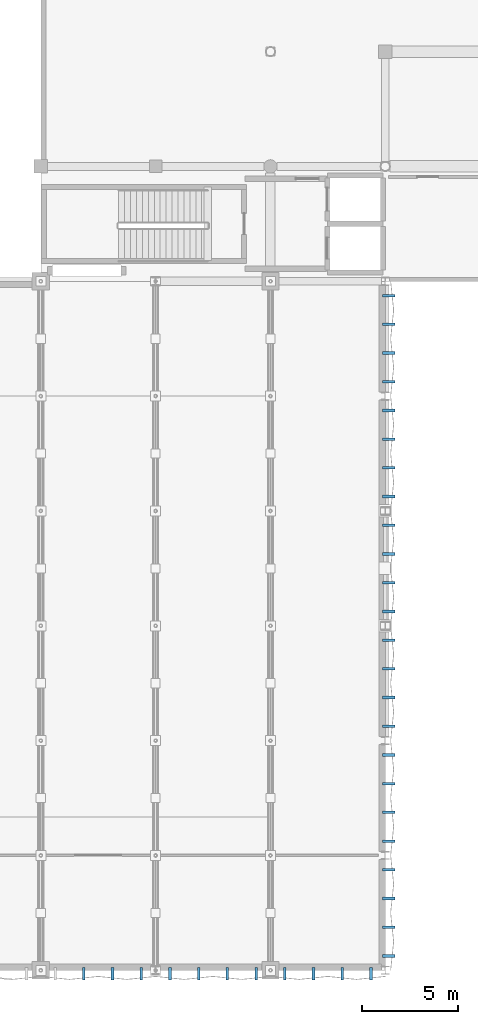
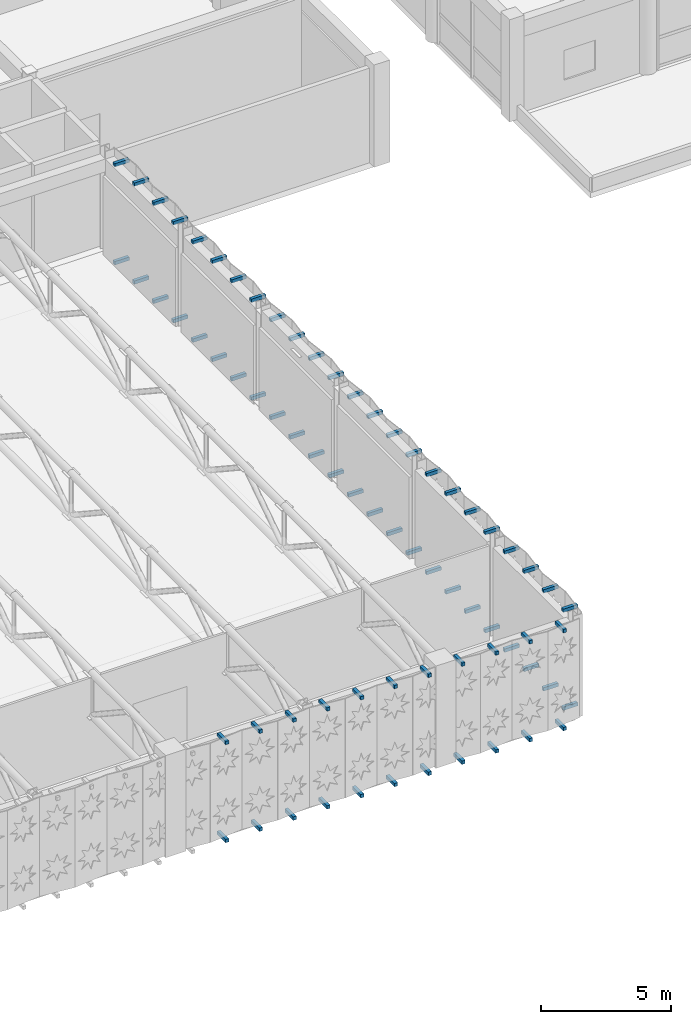
# One storey, part 113 of 123: 70 discrete accessories.
"""IFC4 building model written with IfcOpenShell, lengths in metres."""

from ifc_helpers import new_model, si_unit, direction, frame, origin, origin_2d, place, context, subcontext, project, spatial, rectangle, extrude, material, type_object, element, save


model = new_model("IFC4")

# Units and contexts
model_context = context("Model", 3, precision=1e-05, world=origin(), true_north=direction((0.0, 1.0)))
body_context = subcontext(model_context, "Body", "Model", "MODEL_VIEW")
ifc_project = project(units=[si_unit("LENGTHUNIT", "METRE"), si_unit("AREAUNIT", "SQUARE_METRE"), si_unit("VOLUMEUNIT", "CUBIC_METRE"), si_unit("PLANEANGLEUNIT", "RADIAN"), si_unit("MASSUNIT", "GRAM", prefix="KILO"), si_unit("THERMODYNAMICTEMPERATUREUNIT", "KELVIN"), si_unit("POWERUNIT", "WATT")], contexts=[model_context])

# Site, building, storey
site_placement = place(None, origin())
site = spatial("IfcSite", under=ifc_project, at=site_placement, CompositionType="ELEMENT")
building_placement = place(site_placement, origin())
building = spatial("IfcBuilding", under=site, at=building_placement, Name="Phaisarnlok Congress Hotel", CompositionType="ELEMENT")
storey_placement = place(building_placement, frame((0.0, 0.0, 15.0)))
storey = spatial("IfcBuildingStorey", under=building, at=storey_placement, Name="L03", CompositionType="ELEMENT", Elevation=15.0)

# Discrete accessories
ifc_material = material(Name="Steel S355", Category="steel")
discrete_accessory_type = type_object("IfcDiscreteAccessoryType", Name="ACC-BRK-STL", PredefinedType="BRACKET", material=ifc_material)
for number, where, z_axis, x_axis, name in (
    (1, (128.25, -0.183837890625, -0.18017578125), (0.0, 0.0, 1.0), (1.0, 0.0, 0.0), "Solar screen steel outrigger bracket BK-01"),
    (2, (128.25, -0.183837890625, 4.419921875), (0.0, 0.0, 1.0), (1.0, 0.0, 0.0), "Solar screen steel outrigger bracket BK-01"),
    (3, (129.75, -0.183837890625, -0.18017578125), (0.0, 0.0, 1.0), (1.0, 0.0, 0.0), "Solar screen steel outrigger bracket BK-01"),
    (4, (129.75, -0.183837890625, 4.419921875), (0.0, 0.0, 1.0), (1.0, 0.0, 0.0), "Solar screen steel outrigger bracket BK-01"),
    (5, (131.25, -0.183837890625, -0.18017578125), (0.0, 0.0, 1.0), (1.0, 0.0, 0.0), "Solar screen steel outrigger bracket BK-01"),
    (6, (131.25, -0.183837890625, 4.419921875), (0.0, 0.0, 1.0), (1.0, 0.0, 0.0), "Solar screen steel outrigger bracket BK-01"),
    (7, (132.75, -0.183837890625, -0.18017578125), (0.0, 0.0, 1.0), (1.0, 0.0, 0.0), "Solar screen steel outrigger bracket BK-01"),
    (8, (132.75, -0.183837890625, 4.419921875), (0.0, 0.0, 1.0), (1.0, 0.0, 0.0), "Solar screen steel outrigger bracket BK-01"),
    (9, (134.25, -0.183837890625, -0.18017578125), (0.0, 0.0, 1.0), (1.0, 0.0, 0.0), "Solar screen steel outrigger bracket BK-01"),
    (10, (134.25, -0.183837890625, 4.419921875), (0.0, 0.0, 1.0), (1.0, 0.0, 0.0), "Solar screen steel outrigger bracket BK-01"),
    (11, (135.75, -0.183837890625, -0.18017578125), (0.0, 0.0, 1.0), (1.0, 0.0, 0.0), "Solar screen steel outrigger bracket BK-01"),
    (12, (135.75, -0.183837890625, 4.419921875), (0.0, 0.0, 1.0), (1.0, 0.0, 0.0), "Solar screen steel outrigger bracket BK-01"),
    (13, (137.25, -0.183837890625, -0.18017578125), (0.0, 0.0, 1.0), (1.0, 0.0, 0.0), "Solar screen steel outrigger bracket BK-01"),
    (14, (137.25, -0.183837890625, 4.419921875), (0.0, 0.0, 1.0), (1.0, 0.0, 0.0), "Solar screen steel outrigger bracket BK-01"),
    (15, (138.75, -0.183837890625, -0.18017578125), (0.0, 0.0, 1.0), (1.0, 0.0, 0.0), "Solar screen steel outrigger bracket BK-01"),
    (16, (138.75, -0.183837890625, 4.419921875), (0.0, 0.0, 1.0), (1.0, 0.0, 0.0), "Solar screen steel outrigger bracket BK-01"),
    (17, (140.25, -0.183837890625, -0.18017578125), (0.0, 0.0, 1.0), (1.0, 0.0, 0.0), "Solar screen steel outrigger bracket BK-01"),
    (18, (140.25, -0.183837890625, 4.419921875), (0.0, 0.0, 1.0), (1.0, 0.0, 0.0), "Solar screen steel outrigger bracket BK-01"),
    (19, (141.75, -0.183837890625, -0.18017578125), (0.0, 0.0, 1.0), (1.0, 0.0, 0.0), "Solar screen steel outrigger bracket BK-01"),
    (20, (141.75, -0.183837890625, 4.419921875), (0.0, 0.0, 1.0), (1.0, 0.0, 0.0), "Solar screen steel outrigger bracket BK-01"),
    (21, (143.25, -0.183837890625, -0.18017578125), (0.0, 0.0, 1.0), (1.0, 0.0, 0.0), "Solar screen steel outrigger bracket BK-01"),
    (22, (143.25, -0.183837890625, 4.419921875), (0.0, 0.0, 1.0), (1.0, 0.0, 0.0), "Solar screen steel outrigger bracket BK-01"),
):
    element("IfcDiscreteAccessory", number, at=place(storey_placement, frame(where, z_axis=z_axis, x_axis=x_axis)), inside=storey, type_object=discrete_accessory_type, Name=name, PredefinedType="BRACKET", context=body_context, shape_type="SweptSolid", body=[
        extrude(rectangle(XDim=0.139892578125, YDim=0.647705078125, at=origin_2d()), origin(), (0.0, 0.0, 1.0), 0.159912109375),
    ])
for number, where, z_axis, x_axis, name in (
    (23, (144.183837890625, 0.75, -0.18017578125), (0.0, 0.0, 1.0), (1.0, 0.0, 0.0), "Solar screen steel outrigger bracket BK-01"),
    (24, (144.183837890625, 0.75, 4.419921875), (0.0, 0.0, 1.0), (1.0, 0.0, 0.0), "Solar screen steel outrigger bracket BK-01"),
    (25, (144.183837890625, 2.25, -0.18017578125), (0.0, 0.0, 1.0), (1.0, 0.0, 0.0), "Solar screen steel outrigger bracket BK-01"),
    (26, (144.183837890625, 2.25, 4.419921875), (0.0, 0.0, 1.0), (1.0, 0.0, 0.0), "Solar screen steel outrigger bracket BK-01"),
    (27, (144.183837890625, 3.75, -0.18017578125), (0.0, 0.0, 1.0), (1.0, 0.0, 0.0), "Solar screen steel outrigger bracket BK-01"),
    (28, (144.183837890625, 3.75, 4.419921875), (0.0, 0.0, 1.0), (1.0, 0.0, 0.0), "Solar screen steel outrigger bracket BK-01"),
    (29, (144.183837890625, 5.25, -0.18017578125), (0.0, 0.0, 1.0), (1.0, 0.0, 0.0), "Solar screen steel outrigger bracket BK-01"),
    (30, (144.183837890625, 5.25, 4.419921875), (0.0, 0.0, 1.0), (1.0, 0.0, 0.0), "Solar screen steel outrigger bracket BK-01"),
    (31, (144.183837890625, 6.75, -0.18017578125), (0.0, 0.0, 1.0), (1.0, 0.0, 0.0), "Solar screen steel outrigger bracket BK-01"),
    (32, (144.183837890625, 6.75, 4.419921875), (0.0, 0.0, 1.0), (1.0, 0.0, 0.0), "Solar screen steel outrigger bracket BK-01"),
    (33, (144.183837890625, 8.25, -0.18017578125), (0.0, 0.0, 1.0), (1.0, 0.0, 0.0), "Solar screen steel outrigger bracket BK-01"),
    (34, (144.183837890625, 8.25, 4.419921875), (0.0, 0.0, 1.0), (1.0, 0.0, 0.0), "Solar screen steel outrigger bracket BK-01"),
    (35, (144.183837890625, 9.75, -0.18017578125), (0.0, 0.0, 1.0), (1.0, 0.0, 0.0), "Solar screen steel outrigger bracket BK-01"),
    (36, (144.183837890625, 9.75, 4.419921875), (0.0, 0.0, 1.0), (1.0, 0.0, 0.0), "Solar screen steel outrigger bracket BK-01"),
    (37, (144.183837890625, 11.25, -0.18017578125), (0.0, 0.0, 1.0), (1.0, 0.0, 0.0), "Solar screen steel outrigger bracket BK-01"),
    (38, (144.183837890625, 11.25, 4.419921875), (0.0, 0.0, 1.0), (1.0, 0.0, 0.0), "Solar screen steel outrigger bracket BK-01"),
    (39, (144.183837890625, 12.75, -0.18017578125), (0.0, 0.0, 1.0), (1.0, 0.0, 0.0), "Solar screen steel outrigger bracket BK-01"),
    (40, (144.183837890625, 12.75, 4.419921875), (0.0, 0.0, 1.0), (1.0, 0.0, 0.0), "Solar screen steel outrigger bracket BK-01"),
    (41, (144.183837890625, 14.25, -0.18017578125), (0.0, 0.0, 1.0), (1.0, 0.0, 0.0), "Solar screen steel outrigger bracket BK-01"),
    (42, (144.183837890625, 14.25, 4.419921875), (0.0, 0.0, 1.0), (1.0, 0.0, 0.0), "Solar screen steel outrigger bracket BK-01"),
    (43, (144.183837890625, 15.75, -0.18017578125), (0.0, 0.0, 1.0), (1.0, 0.0, 0.0), "Solar screen steel outrigger bracket BK-01"),
    (44, (144.183837890625, 15.75, 4.419921875), (0.0, 0.0, 1.0), (1.0, 0.0, 0.0), "Solar screen steel outrigger bracket BK-01"),
    (45, (144.183837890625, 17.25, -0.18017578125), (0.0, 0.0, 1.0), (1.0, 0.0, 0.0), "Solar screen steel outrigger bracket BK-01"),
    (46, (144.183837890625, 17.25, 4.419921875), (0.0, 0.0, 1.0), (1.0, 0.0, 0.0), "Solar screen steel outrigger bracket BK-01"),
    (47, (144.183837890625, 18.75, -0.18017578125), (0.0, 0.0, 1.0), (1.0, 0.0, 0.0), "Solar screen steel outrigger bracket BK-01"),
    (48, (144.183837890625, 18.75, 4.419921875), (0.0, 0.0, 1.0), (1.0, 0.0, 0.0), "Solar screen steel outrigger bracket BK-01"),
    (49, (144.183837890625, 20.25, -0.18017578125), (0.0, 0.0, 1.0), (1.0, 0.0, 0.0), "Solar screen steel outrigger bracket BK-01"),
    (50, (144.183837890625, 20.25, 4.419921875), (0.0, 0.0, 1.0), (1.0, 0.0, 0.0), "Solar screen steel outrigger bracket BK-01"),
    (51, (144.183837890625, 21.75, -0.18017578125), (0.0, 0.0, 1.0), (1.0, 0.0, 0.0), "Solar screen steel outrigger bracket BK-01"),
    (52, (144.183837890625, 21.75, 4.419921875), (0.0, 0.0, 1.0), (1.0, 0.0, 0.0), "Solar screen steel outrigger bracket BK-01"),
    (53, (144.183837890625, 23.25, -0.18017578125), (0.0, 0.0, 1.0), (1.0, 0.0, 0.0), "Solar screen steel outrigger bracket BK-01"),
    (54, (144.183837890625, 23.25, 4.419921875), (0.0, 0.0, 1.0), (1.0, 0.0, 0.0), "Solar screen steel outrigger bracket BK-01"),
    (55, (144.183837890625, 24.75, -0.18017578125), (0.0, 0.0, 1.0), (1.0, 0.0, 0.0), "Solar screen steel outrigger bracket BK-01"),
    (56, (144.183837890625, 24.75, 4.419921875), (0.0, 0.0, 1.0), (1.0, 0.0, 0.0), "Solar screen steel outrigger bracket BK-01"),
    (57, (144.183837890625, 26.25, -0.18017578125), (0.0, 0.0, 1.0), (1.0, 0.0, 0.0), "Solar screen steel outrigger bracket BK-01"),
    (58, (144.183837890625, 26.25, 4.419921875), (0.0, 0.0, 1.0), (1.0, 0.0, 0.0), "Solar screen steel outrigger bracket BK-01"),
    (59, (144.183837890625, 27.75, -0.18017578125), (0.0, 0.0, 1.0), (1.0, 0.0, 0.0), "Solar screen steel outrigger bracket BK-01"),
    (60, (144.183837890625, 27.75, 4.419921875), (0.0, 0.0, 1.0), (1.0, 0.0, 0.0), "Solar screen steel outrigger bracket BK-01"),
    (61, (144.183837890625, 29.25, -0.18017578125), (0.0, 0.0, 1.0), (1.0, 0.0, 0.0), "Solar screen steel outrigger bracket BK-01"),
    (62, (144.183837890625, 29.25, 4.419921875), (0.0, 0.0, 1.0), (1.0, 0.0, 0.0), "Solar screen steel outrigger bracket BK-01"),
    (63, (144.183837890625, 30.75, -0.18017578125), (0.0, 0.0, 1.0), (1.0, 0.0, 0.0), "Solar screen steel outrigger bracket BK-01"),
    (64, (144.183837890625, 30.75, 4.419921875), (0.0, 0.0, 1.0), (1.0, 0.0, 0.0), "Solar screen steel outrigger bracket BK-01"),
    (65, (144.183837890625, 32.25, -0.18017578125), (0.0, 0.0, 1.0), (1.0, 0.0, 0.0), "Solar screen steel outrigger bracket BK-01"),
    (66, (144.183837890625, 32.25, 4.419921875), (0.0, 0.0, 1.0), (1.0, 0.0, 0.0), "Solar screen steel outrigger bracket BK-01"),
    (67, (144.183837890625, 33.75, -0.18017578125), (0.0, 0.0, 1.0), (1.0, 0.0, 0.0), "Solar screen steel outrigger bracket BK-01"),
    (68, (144.183837890625, 33.75, 4.419921875), (0.0, 0.0, 1.0), (1.0, 0.0, 0.0), "Solar screen steel outrigger bracket BK-01"),
    (69, (144.183837890625, 35.25, -0.18017578125), (0.0, 0.0, 1.0), (1.0, 0.0, 0.0), "Solar screen steel outrigger bracket BK-01"),
    (70, (144.183837890625, 35.25, 4.419921875), (0.0, 0.0, 1.0), (1.0, 0.0, 0.0), "Solar screen steel outrigger bracket BK-01"),
):
    element("IfcDiscreteAccessory", number, at=place(storey_placement, frame(where, z_axis=z_axis, x_axis=x_axis)), inside=storey, type_object=discrete_accessory_type, Name=name, PredefinedType="BRACKET", context=body_context, shape_type="SweptSolid", body=[
        extrude(rectangle(XDim=0.647705078125, YDim=0.139892578125, at=origin_2d()), origin(), (0.0, 0.0, 1.0), 0.159912109375),
    ])

save(model, "model.ifc")
